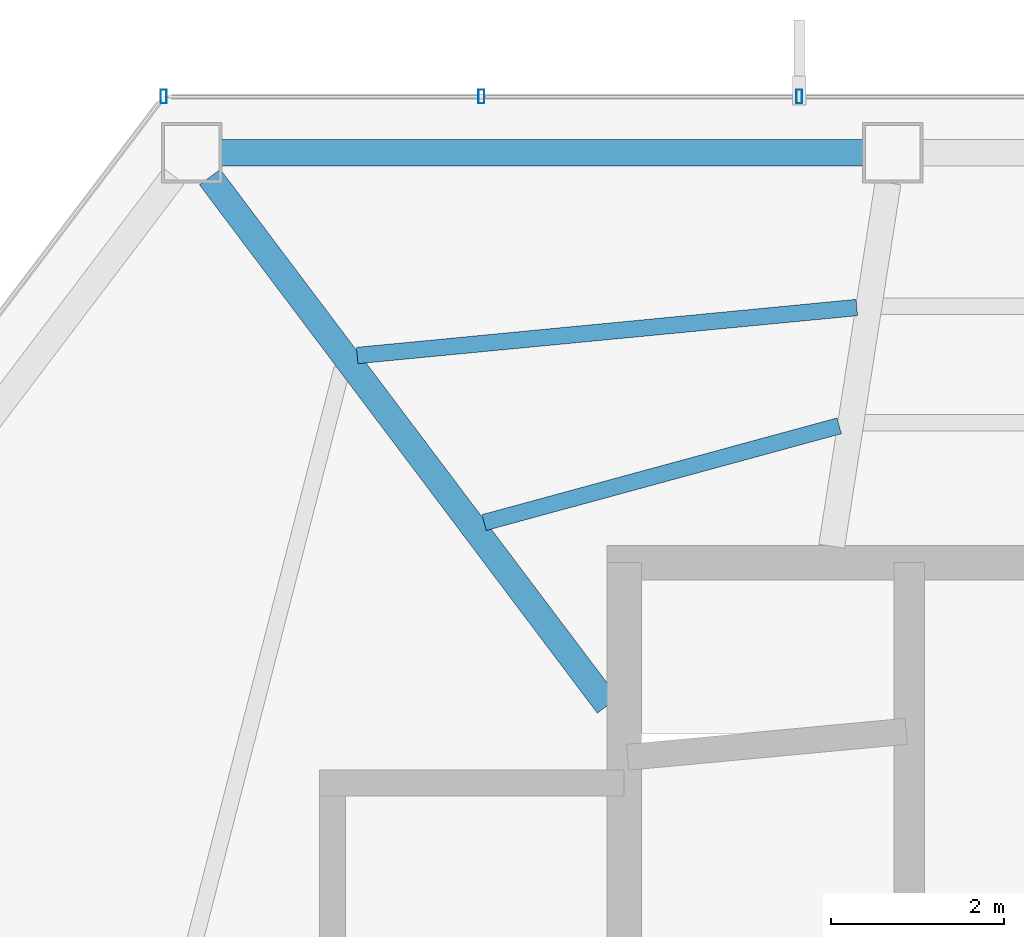
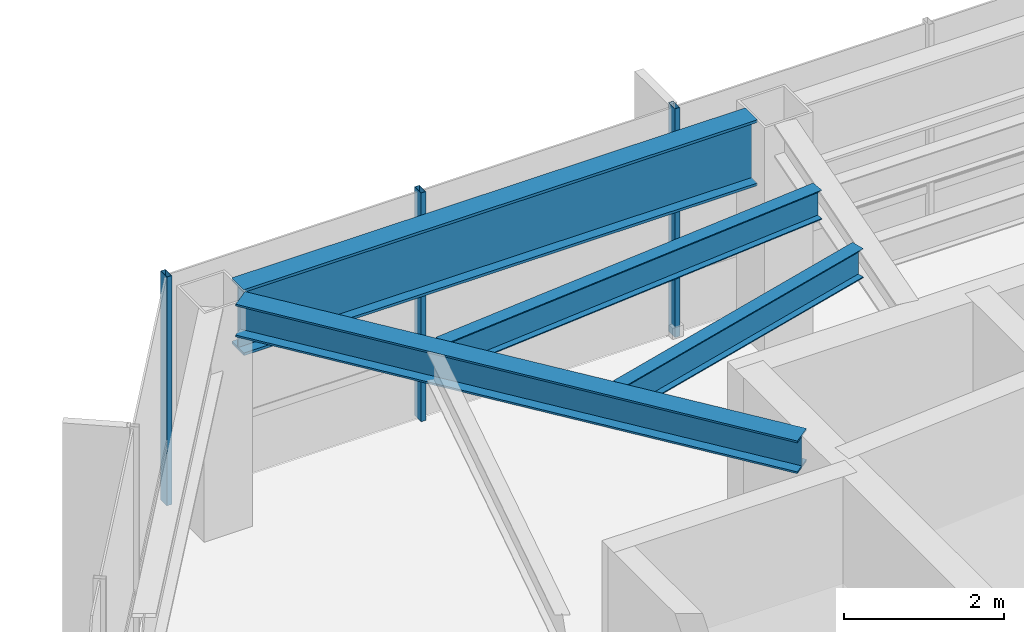
# One storey, part 13 of 28: 4 beams, 3 members, 1 element without a shape of its own.
"""IFC4 building model written with IfcOpenShell, lengths in metres."""

from ifc_helpers import new_model, si_unit, direction, frame, origin, origin_2d, place, context, subcontext, project, spatial, hollow_rectangle, i_section, extrude, material, layer, layer_set, material_profile, profile_set, type_object, element, aggregate, save


model = new_model("IFC4")

# Units and contexts
model_context = context("Model", 3, precision=1e-05, world=origin(), true_north=direction((0.0, 1.0)))
body_context = subcontext(model_context, "Body", "Model", "MODEL_VIEW")
ifc_project = project(units=[si_unit("LENGTHUNIT", "METRE"), si_unit("AREAUNIT", "SQUARE_METRE"), si_unit("VOLUMEUNIT", "CUBIC_METRE"), si_unit("PLANEANGLEUNIT", "RADIAN"), si_unit("MASSUNIT", "GRAM", prefix="KILO")], contexts=[model_context])

# Site, building, storey
site_placement = place(None, origin())
site = spatial("IfcSite", under=ifc_project, at=site_placement, CompositionType="ELEMENT")
building_placement = place(site_placement, origin())
building = spatial("IfcBuilding", under=site, at=building_placement, Name="Zarrinselat Tower", CompositionType="ELEMENT")
storey_placement = place(building_placement, frame((0.0, 0.0, 168.300048828125)))
storey = spatial("IfcBuildingStorey", under=building, at=storey_placement, Name="L41", CompositionType="ELEMENT", Elevation=168.300048828125)

# Beams
ifc_material_1 = material(Name="Steel S355J2", Category="steel")
ifc_material_profile_1 = material_profile(ifc_material_1, i_section(OverallWidth=0.300048828125, OverallDepth=0.5, WebThickness=0.014404296875, FlangeThickness=0.028076171875, at=origin_2d()), Name="HEB 500")
ifc_profile_set_1 = profile_set([ifc_material_profile_1], Name="Steel S355J2")
beam_type_1 = type_object("IfcBeamType", Name="BM-HEB500", PredefinedType="BEAM", material=ifc_profile_set_1)
beam_1_placement = place(storey_placement, frame((23.810302734375, 47.90771484375, 3.25), z_axis=(0.601577493751, -0.798814445921, 0.0), x_axis=(0.798814445921, 0.601577493751, 0.0)))
element("IfcBeam", 1, at=beam_1_placement, inside=storey, type_object=beam_type_1, Name="L41 Radial Primary Girder RG05", PredefinedType="BEAM", context=body_context, shape_type="SweptSolid", body=[
    extrude(i_section(OverallWidth=0.300048828125, OverallDepth=0.5, WebThickness=0.014404296875, FlangeThickness=0.028076171875, at=origin_2d()), origin(), (0.0, 0.0, 1.0), 7.64599609375),
])
ifc_material_2 = material(Name="Steel S460M", Category="steel")
ifc_material_profile_2 = material_profile(ifc_material_2, i_section(OverallWidth=0.302001953125, OverallDepth=1.008056640625, WebThickness=0.02099609375, FlangeThickness=0.0400390625, at=origin_2d()), Name="HEM 1000")
ifc_profile_set_2 = profile_set([ifc_material_profile_2], Name="Steel S460M")
beam_type_2 = type_object("IfcBeamType", Name="BM-HEM1000", PredefinedType="BEAM", material=ifc_profile_set_2)
beam_2_placement = place(storey_placement, frame((23.936279296875, 48.18896484375, 2.995849609375), z_axis=(1.0, 0.0, 0.0), x_axis=(0.0, 1.0, 0.0)))
element("IfcBeam", 2, at=beam_2_placement, inside=storey, type_object=beam_type_2, Name="L41 Perimeter Spandrel Girder SP04", PredefinedType="BEAM", context=body_context, shape_type="SweptSolid", body=[
    extrude(i_section(OverallWidth=0.302001953125, OverallDepth=1.008056640625, WebThickness=0.02099609375, FlangeThickness=0.0400390625, at=origin_2d()), origin(), (0.0, 0.0, 1.0), 7.430419921875),
])
ifc_material_3 = material(Name="Steel S355J2", Category="steel")
ifc_material_profile_3 = material_profile(ifc_material_3, i_section(OverallWidth=0.18994140625, OverallDepth=0.449951171875, WebThickness=0.009521484375, FlangeThickness=0.0146484375, at=origin_2d()), Name="IPE 450")
ifc_profile_set_3 = profile_set([ifc_material_profile_3], Name="Steel S355J2")
beam_type_3 = type_object("IfcBeamType", Name="BM-IPE450", PredefinedType="JOIST", material=ifc_profile_set_3)
beam_3_placement = place(storey_placement, frame((25.513427734375, 45.844482421875, 3.27490234375), z_axis=(0.995417811595, 0.095621024671, 0.0), x_axis=(-0.095621024671, 0.995417811595, 0.0)))
element("IfcBeam", 3, at=beam_3_placement, inside=storey, type_object=beam_type_3, Name="L41 Composite Floor Joist 9-1", PredefinedType="JOIST", context=body_context, shape_type="SweptSolid", body=[
    extrude(i_section(OverallWidth=0.18994140625, OverallDepth=0.449951171875, WebThickness=0.009521484375, FlangeThickness=0.0146484375, at=origin_2d()), origin(), (0.0, 0.0, 1.0), 5.803466796875),
])
beam_4_placement = place(storey_placement, frame((26.981201171875, 43.913330078125, 3.27490234375), z_axis=(0.964845876791, 0.262816350405, 0.0), x_axis=(-0.262816350405, 0.964845876791, 0.0)))
element("IfcBeam", 4, at=beam_4_placement, inside=storey, type_object=beam_type_3, Name="L41 Composite Floor Joist 9-2", PredefinedType="JOIST", context=body_context, shape_type="SweptSolid", body=[
    extrude(i_section(OverallWidth=0.18994140625, OverallDepth=0.449951171875, WebThickness=0.009521484375, FlangeThickness=0.0146484375, at=origin_2d()), origin(), (0.0, 0.0, 1.0), 4.254638671875),
])

# Curtain wall, members
ifc_material_4 = material(Name="Extruded Aluminium Alloy EN AW-6063 T6", Category="aluminium")
ifc_layer = layer(ifc_material_4, 0.175048828125)
ifc_layer_set = layer_set([ifc_layer], Name="Extruded Aluminium Alloy EN AW-6063 T6")
curtain_wall_type = type_object("IfcCurtainWallType", Name="CWS-HTL", PredefinedType="NOTDEFINED", material=ifc_layer_set)
curtain_wall_placement = place(storey_placement, origin())
curtain_wall = element("IfcCurtainWall", 5, at=curtain_wall_placement, inside=storey, type_object=curtain_wall_type, Name="L41 Unitised Curtain Wall CW-L41-E01", PredefinedType="NOTDEFINED")
ifc_material_5 = material(Name="Extruded Aluminium Alloy EN AW-6063 T6", Category="aluminium")
ifc_material_profile_4 = material_profile(ifc_material_5, hollow_rectangle(XDim=0.070068359375, YDim=0.159912109375, WallThickness=0.00390625, at=origin_2d()), Name="RHS 160x70x4")
ifc_profile_set_4 = profile_set([ifc_material_profile_4], Name="Extruded Aluminium Alloy EN AW-6063 T6")
member_type = type_object("IfcMemberType", Name="MEM-CW-MUL2", PredefinedType="MULLION", material=ifc_profile_set_4)
member_1_placement = place(storey_placement, frame((30.62451171875, 48.8388671875, 0.0), z_axis=(0.0, 0.0, 1.0), x_axis=(-1.0, 0.0, 0.0)))
member_1 = element("IfcMember", 6, at=member_1_placement, type_object=member_type, Name="CW-L41-E01 Mullion 9", PredefinedType="MULLION", context=body_context, shape_type="SweptSolid", body=[
    extrude(hollow_rectangle(XDim=0.070068359375, YDim=0.159912109375, WallThickness=0.00390625, at=origin_2d()), origin(), (0.0, 0.0, 1.0), 3.5),
])
member_2_placement = place(storey_placement, frame((26.949951171875, 48.8388671875, 0.0), z_axis=(0.0, 0.0, 1.0), x_axis=(-1.0, 0.0, 0.0)))
member_2 = element("IfcMember", 7, at=member_2_placement, type_object=member_type, Name="CW-L41-E01 Mullion 10", PredefinedType="MULLION", context=body_context, shape_type="SweptSolid", body=[
    extrude(hollow_rectangle(XDim=0.070068359375, YDim=0.159912109375, WallThickness=0.00390625, at=origin_2d()), origin(), (0.0, 0.0, 1.0), 3.5),
])
member_3_placement = place(storey_placement, frame((23.275390625, 48.8388671875, 0.0), z_axis=(0.0, 0.0, 1.0), x_axis=(-1.0, 0.0, 0.0)))
member_3 = element("IfcMember", 8, at=member_3_placement, type_object=member_type, Name="CW-L41-E01 Mullion 11", PredefinedType="MULLION", context=body_context, shape_type="SweptSolid", body=[
    extrude(hollow_rectangle(XDim=0.070068359375, YDim=0.159912109375, WallThickness=0.00390625, at=origin_2d()), origin(), (0.0, 0.0, 1.0), 3.5),
])
aggregate(curtain_wall, [member_1, member_2, member_3])

save(model, "model.ifc")
